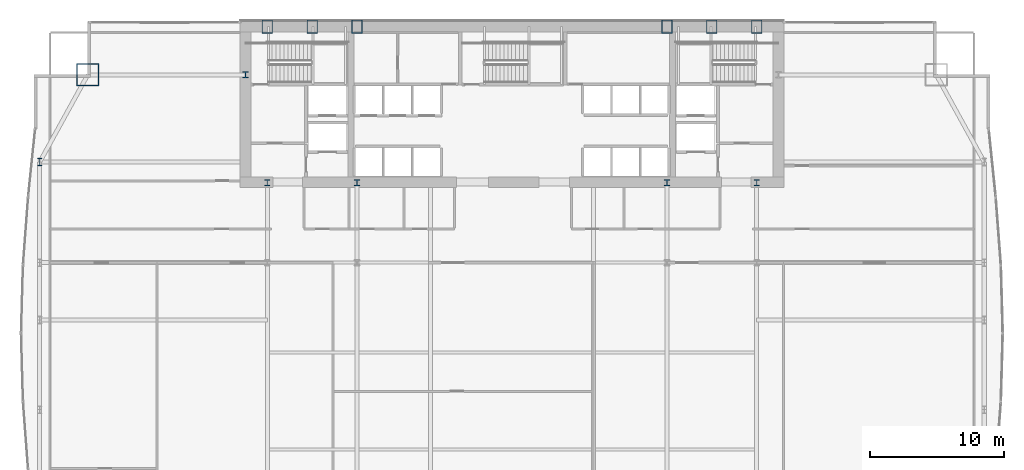
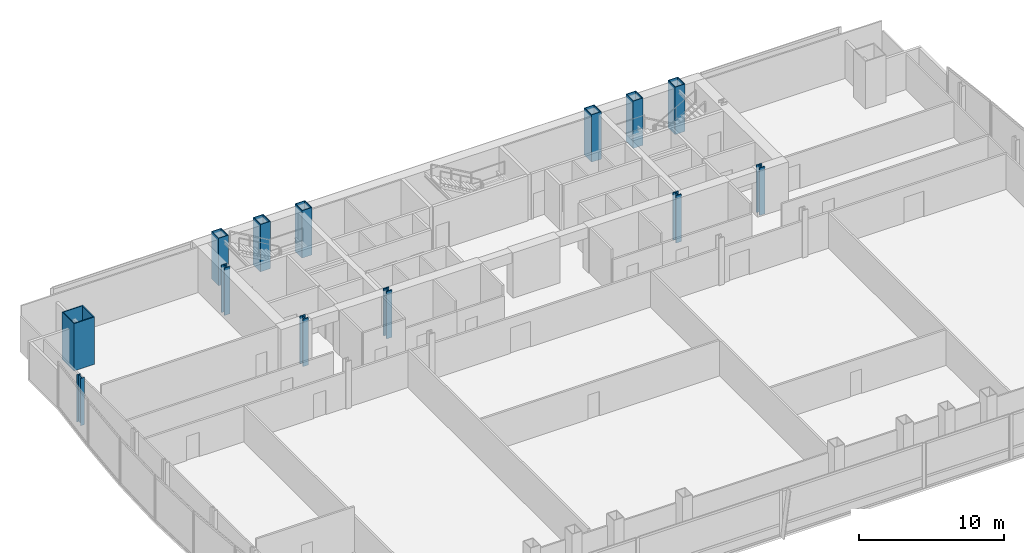
# One storey, part 3 of 32: 13 columns.
"""IFC4 building model written with IfcOpenShell, lengths in metres."""

from ifc_helpers import new_model, si_unit, direction, frame, origin, origin_2d, place, context, subcontext, project, spatial, hollow_rectangle, i_section, extrude, material, material_profile, profile_set, type_object, element, save


model = new_model("IFC4")

# Units and contexts
model_context = context("Model", 3, precision=1e-05, world=origin(), true_north=direction((0.0, 1.0)))
body_context = subcontext(model_context, "Body", "Model", "MODEL_VIEW")
ifc_project = project(units=[si_unit("LENGTHUNIT", "METRE"), si_unit("AREAUNIT", "SQUARE_METRE"), si_unit("VOLUMEUNIT", "CUBIC_METRE"), si_unit("PLANEANGLEUNIT", "RADIAN"), si_unit("MASSUNIT", "GRAM", prefix="KILO")], contexts=[model_context])

# Site, building, storey
site_placement = place(None, origin())
site = spatial("IfcSite", under=ifc_project, at=site_placement, CompositionType="ELEMENT")
building_placement = place(site_placement, origin())
building = spatial("IfcBuilding", under=site, at=building_placement, Name="Khoronbel Lancet Exchange", CompositionType="ELEMENT")
storey_placement = place(building_placement, frame((0.0, 0.0, 29.800048828125)))
storey = spatial("IfcBuildingStorey", under=building, at=storey_placement, Name="L06", CompositionType="ELEMENT", Elevation=29.800048828125)

# Columns
ifc_material_1 = material(Name="Steel S460", Category="steel")
ifc_material_profile_1 = material_profile(ifc_material_1, hollow_rectangle(XDim=0.800048828125, YDim=1.0, WallThickness=0.054931640625, at=origin_2d()), Name="BOX 1000x800x55")
ifc_profile_set_1 = profile_set([ifc_material_profile_1], Name="Steel S460")
column_type_1 = type_object("IfcColumnType", Name="COL-EC1", PredefinedType="COLUMN", material=ifc_profile_set_1)
for number, where, z_axis, x_axis, name in (
    (1, (18.22509765625, 53.280029296875, 0.0), (0.0, 0.0, 1.0), (1.0, 0.0, 0.0), "Structural column NC-W1 L06"),
    (2, (21.5625, 53.280029296875, 0.0), (0.0, 0.0, 1.0), (1.0, 0.0, 0.0), "Structural column NC-WM L06"),
    (3, (24.89990234375, 53.280029296875, 0.0), (0.0, 0.0, 1.0), (1.0, 0.0, 0.0), "Structural column NC-W2 L06"),
    (4, (48.0, 53.280029296875, 0.0), (0.0, 0.0, 1.0), (1.0, 0.0, 0.0), "Structural column NC-E1 L06"),
    (5, (51.33740234375, 53.280029296875, 0.0), (0.0, 0.0, 1.0), (1.0, 0.0, 0.0), "Structural column NC-EM L06"),
    (6, (54.675048828125, 53.280029296875, 0.0), (0.0, 0.0, 1.0), (1.0, 0.0, 0.0), "Structural column NC-E2 L06"),
):
    element("IfcColumn", number, at=place(storey_placement, frame(where, z_axis=z_axis, x_axis=x_axis)), inside=storey, type_object=column_type_1, Name=name, PredefinedType="COLUMN", context=body_context, shape_type="SweptSolid", body=[
        extrude(hollow_rectangle(XDim=0.800048828125, YDim=1.0, WallThickness=0.054931640625, at=origin_2d()), origin(), (0.0, 0.0, 1.0), 4.0),
    ])
ifc_material_profile_2 = material_profile(ifc_material_1, i_section(OverallWidth=0.424072265625, OverallDepth=0.47412109375, WebThickness=0.047607421875, FlangeThickness=0.076904296875, at=origin_2d()), Name="HD 400x634")
ifc_profile_set_2 = profile_set([ifc_material_profile_2], Name="Steel S460")
column_type_2 = type_object("IfcColumnType", Name="COL-IC1", PredefinedType="COLUMN", material=ifc_profile_set_2)
for number, where, z_axis, x_axis, name in (
    (7, (16.60009765625, 49.699951171875, 0.0), (0.0, 0.0, 1.0), (1.0, 0.0, 0.0), "Core-flank plumb transfer column CFW L06"),
    (8, (18.22509765625, 41.64990234375, 0.0), (0.0, 0.0, 1.0), (1.0, 0.0, 0.0), "Core-embedded steel column CTC1 L06"),
    (9, (24.89990234375, 41.64990234375, 0.0), (0.0, 0.0, 1.0), (1.0, 0.0, 0.0), "Core-embedded steel column CTC2 L06"),
    (10, (48.0, 41.64990234375, 0.0), (0.0, 0.0, 1.0), (1.0, 0.0, 0.0), "Core-embedded steel column CTC3 L06"),
    (11, (54.675048828125, 41.64990234375, 0.0), (0.0, 0.0, 1.0), (1.0, 0.0, 0.0), "Core-embedded steel column CTC4 L06"),
):
    element("IfcColumn", number, at=place(storey_placement, frame(where, z_axis=z_axis, x_axis=x_axis)), inside=storey, type_object=column_type_2, Name=name, PredefinedType="COLUMN", context=body_context, shape_type="SweptSolid", body=[
        extrude(i_section(OverallWidth=0.424072265625, OverallDepth=0.47412109375, WebThickness=0.047607421875, FlangeThickness=0.076904296875, at=origin_2d()), origin(), (0.0, 0.0, 1.0), 4.0),
    ])
ifc_material_2 = material(Name="Steel S355", Category="steel")
ifc_material_profile_3 = material_profile(ifc_material_2, i_section(OverallWidth=0.300048828125, OverallDepth=0.550048828125, WebThickness=0.014892578125, FlangeThickness=0.029052734375, at=origin_2d()), Name="HEB 550")
ifc_profile_set_3 = profile_set([ifc_material_profile_3], Name="Steel S355")
column_type_3 = type_object("IfcColumnType", Name="COL-LC1", PredefinedType="COLUMN", material=ifc_profile_set_3)
column_1_placement = place(storey_placement, frame((1.27001953125, 43.199951171875, 0.0), z_axis=(0.0, 0.0, 1.0), x_axis=(1.0, 0.0, 0.0)))
element("IfcColumn", 12, at=column_1_placement, inside=storey, type_object=column_type_3, Name="Structural column WC-4 L06", PredefinedType="COLUMN", context=body_context, shape_type="SweptSolid", body=[
    extrude(i_section(OverallWidth=0.300048828125, OverallDepth=0.550048828125, WebThickness=0.014892578125, FlangeThickness=0.029052734375, at=origin_2d()), origin(), (0.0, 0.0, 1.0), 4.0),
])
ifc_material_profile_4 = material_profile(ifc_material_1, hollow_rectangle(XDim=1.64990234375, YDim=1.64990234375, WallThickness=0.074951171875, at=origin_2d()), Name="BOX 1650x1650x75")
ifc_profile_set_4 = profile_set([ifc_material_profile_4], Name="Steel S460")
column_type_4 = type_object("IfcColumnType", Name="COL-MC2", PredefinedType="COLUMN", material=ifc_profile_set_4)
column_2_placement = place(storey_placement, frame((4.85009765625, 49.699951171875, 0.0), z_axis=(0.0, 0.0, 1.0), x_axis=(1.0, 0.0, 0.0)))
element("IfcColumn", 13, at=column_2_placement, inside=storey, type_object=column_type_4, Name="Structural column MC-NW L06", PredefinedType="COLUMN", context=body_context, shape_type="SweptSolid", body=[
    extrude(hollow_rectangle(XDim=1.64990234375, YDim=1.64990234375, WallThickness=0.074951171875, at=origin_2d()), origin(), (0.0, 0.0, 1.0), 4.0),
])

save(model, "model.ifc")
